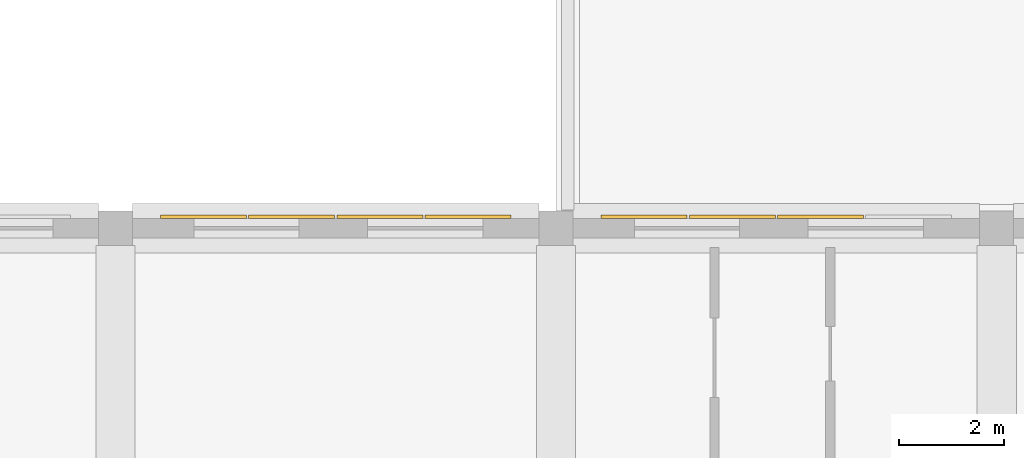
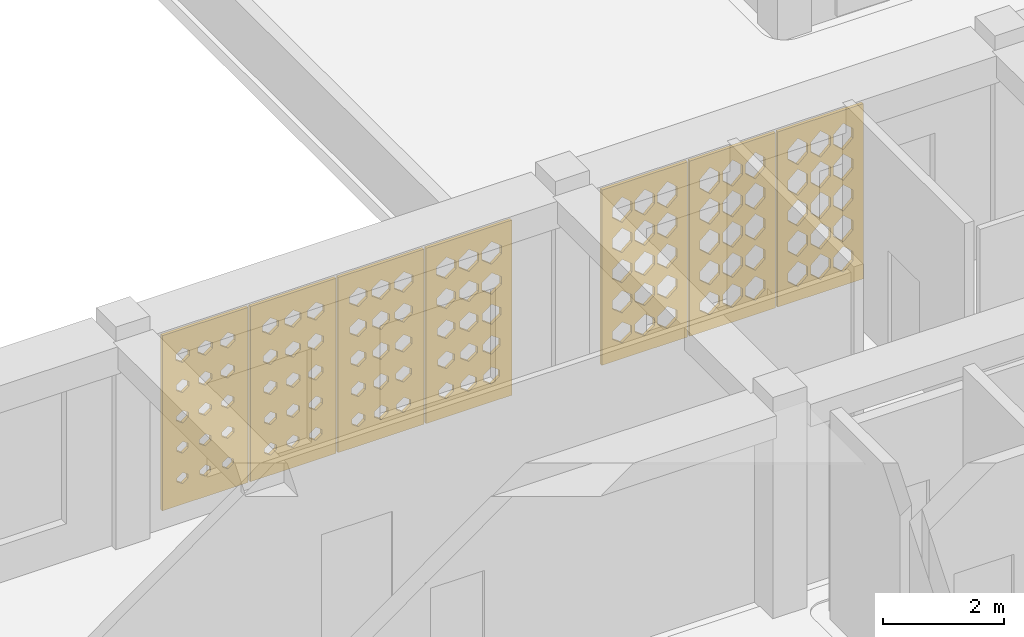
# One storey, part 28 of 47: 7 coverings.
"""IFC4 building model written with IfcOpenShell, lengths in metres."""

from ifc_helpers import new_model, si_unit, derived_unit, direction, frame, origin, place, context, subcontext, project, spatial, polyline, outline, extrude, material, layer, layer_set, type_object, element, save


model = new_model("IFC4")

# Units and contexts
model_context = context("Model", 3, precision=1e-05, world=origin(), true_north=direction((0.0, 1.0)))
body_context = subcontext(model_context, "Body", "Model", "MODEL_VIEW")
ifc_project = project(units=[si_unit("LENGTHUNIT", "METRE"), si_unit("AREAUNIT", "SQUARE_METRE"), si_unit("VOLUMEUNIT", "CUBIC_METRE"), si_unit("PLANEANGLEUNIT", "RADIAN"), si_unit("MASSUNIT", "GRAM", prefix="KILO"), derived_unit("THERMALTRANSMITTANCEUNIT", [(si_unit("POWERUNIT", "WATT"), 1), (si_unit("LENGTHUNIT", "METRE"), -2), (si_unit("THERMODYNAMICTEMPERATUREUNIT", "KELVIN"), -1)])], contexts=[model_context])

# Site, building, storey
site_placement = place(None, origin())
site = spatial("IfcSite", under=ifc_project, at=site_placement, CompositionType="ELEMENT")
building_placement = place(site_placement, origin())
building = spatial("IfcBuilding", under=site, at=building_placement, Name="Veybourne Emporium", CompositionType="ELEMENT")
storey_placement = place(building_placement, frame((0.0, 0.0, 23.39990234375)))
storey = spatial("IfcBuildingStorey", under=building, at=storey_placement, Name="L05", CompositionType="ELEMENT", Elevation=23.39990234375)

# Coverings
ifc_material = material(Name="Warm-White Perforated Aluminium Screen Alloy", Category="aluminium")
ifc_layer_1 = layer(ifc_material, 0.06005859375)
ifc_layer_set_1 = layer_set([ifc_layer_1], Name="Warm-White Perforated Aluminium Screen Alloy")
covering_type_1 = type_object("IfcCoveringType", Name="WaveScreen_SCR-01", PredefinedType="CLADDING", material=ifc_layer_set_1)
covering_1_placement = place(storey_placement, frame((11.760009765625, 50.64794921875, 1.830078125), z_axis=(0.0, -1.0, 0.0), x_axis=(1.0, 0.0, 0.0)))
element("IfcCovering", 1, at=covering_1_placement, inside=storey, type_object=covering_type_1, Name="L05 wave-perforated aluminium screen SCR-01 (9.2)", PredefinedType="CLADDING", context=body_context, shape_type="SweptSolid", body=[
    extrude(outline(polyline([(-0.81982421875, -1.77001953125), (0.81982421875, -1.77001953125), (0.81982421875, 1.77001953125), (-0.81982421875, 1.77001953125), (-0.81982421875, -1.77001953125)]), holes=[polyline([(-0.433349609375, -1.1162109375), (-0.322021484375, -1.1953125), (-0.322021484375, -1.28466796875), (-0.433349609375, -1.364013671875), (-0.544677734375, -1.28466796875), (-0.544677734375, -1.1953125), (-0.433349609375, -1.1162109375)]), polyline([(-0.433349609375, -0.4873046875), (-0.314697265625, -0.572265625), (-0.314697265625, -0.667724609375), (-0.433349609375, -0.752685546875), (-0.552001953125, -0.667724609375), (-0.552001953125, -0.572265625), (-0.433349609375, -0.4873046875)]), polyline([(-0.433349609375, 0.1435546875), (-0.305908203125, 0.0517578125), (-0.305908203125, -0.0517578125), (-0.433349609375, -0.1435546875), (-0.560791015625, -0.0517578125), (-0.560791015625, 0.0517578125), (-0.433349609375, 0.1435546875)]), polyline([(-0.433349609375, 0.77587890625), (-0.2958984375, 0.676025390625), (-0.2958984375, 0.56396484375), (-0.433349609375, 0.464111328125), (-0.57080078125, 0.56396484375), (-0.57080078125, 0.676025390625), (-0.433349609375, 0.77587890625)]), polyline([(-0.433349609375, 1.4091796875), (-0.284912109375, 1.30078125), (-0.284912109375, 1.17919921875), (-0.433349609375, 1.07080078125), (-0.581787109375, 1.17919921875), (-0.581787109375, 1.30078125), (-0.433349609375, 1.4091796875)]), polyline([(0.0, -1.1123046875), (0.114501953125, -1.194091796875), (0.114501953125, -1.285888671875), (0.0, -1.36767578125), (-0.114501953125, -1.285888671875), (-0.114501953125, -1.194091796875), (0.0, -1.1123046875)]), polyline([(0.0, -0.482666015625), (0.12255859375, -0.570556640625), (0.12255859375, -0.66943359375), (0.0, -0.75732421875), (-0.12255859375, -0.66943359375), (-0.12255859375, -0.570556640625), (0.0, -0.482666015625)]), polyline([(0.0, 0.14892578125), (0.1318359375, 0.0537109375), (0.1318359375, -0.0537109375), (0.0, -0.14892578125), (-0.1318359375, -0.0537109375), (-0.1318359375, 0.0537109375), (0.0, 0.14892578125)]), polyline([(0.0, 0.781494140625), (0.14208984375, 0.67822265625), (0.14208984375, 0.561767578125), (0.0, 0.45849609375), (-0.14208984375, 0.561767578125), (-0.14208984375, 0.67822265625), (0.0, 0.781494140625)]), polyline([(0.0, 1.415283203125), (0.1533203125, 1.302978515625), (0.1533203125, 1.177001953125), (0.0, 1.064697265625), (-0.1533203125, 1.177001953125), (-0.1533203125, 1.302978515625), (0.0, 1.415283203125)]), polyline([(0.433349609375, -1.108154296875), (0.55126953125, -1.1923828125), (0.55126953125, -1.28759765625), (0.433349609375, -1.371826171875), (0.3154296875, -1.28759765625), (0.3154296875, -1.1923828125), (0.433349609375, -1.108154296875)]), polyline([(0.433349609375, -0.4775390625), (0.559814453125, -0.568603515625), (0.559814453125, -0.67138671875), (0.433349609375, -0.762451171875), (0.306884765625, -0.67138671875), (0.306884765625, -0.568603515625), (0.433349609375, -0.4775390625)]), polyline([(0.433349609375, 0.154541015625), (0.569580078125, 0.0556640625), (0.569580078125, -0.0556640625), (0.433349609375, -0.154541015625), (0.297119140625, -0.0556640625), (0.297119140625, 0.0556640625), (0.433349609375, 0.154541015625)]), polyline([(0.433349609375, 0.78759765625), (0.58056640625, 0.680419921875), (0.58056640625, 0.5595703125), (0.433349609375, 0.452392578125), (0.2861328125, 0.5595703125), (0.2861328125, 0.680419921875), (0.433349609375, 0.78759765625)]), polyline([(0.433349609375, 1.421630859375), (0.592041015625, 1.305419921875), (0.592041015625, 1.174560546875), (0.433349609375, 1.058349609375), (0.274658203125, 1.174560546875), (0.274658203125, 1.305419921875), (0.433349609375, 1.421630859375)])]), origin(), (0.0, 0.0, 1.0), 0.06005859375),
])
covering_2_placement = place(storey_placement, frame((20.159912109375, 50.64794921875, 1.830078125), z_axis=(0.0, -1.0, 0.0), x_axis=(1.0, 0.0, 0.0)))
element("IfcCovering", 2, at=covering_2_placement, inside=storey, type_object=covering_type_1, Name="L05 wave-perforated aluminium screen SCR-01 (13.2)", PredefinedType="CLADDING", context=body_context, shape_type="SweptSolid", body=[
    extrude(outline(polyline([(-0.81982421875, -1.77001953125), (0.81982421875, -1.77001953125), (0.81982421875, 1.77001953125), (-0.81982421875, 1.77001953125), (-0.81982421875, -1.77001953125)]), holes=[polyline([(-0.433349609375, -1.005859375), (-0.2470703125, -1.15576171875), (-0.2470703125, -1.32421875), (-0.433349609375, -1.47412109375), (-0.61962890625, -1.32421875), (-0.61962890625, -1.15576171875), (-0.433349609375, -1.005859375)]), polyline([(-0.433349609375, -0.3740234375), (-0.2470703125, -0.531494140625), (-0.2470703125, -0.70849609375), (-0.433349609375, -0.865966796875), (-0.61962890625, -0.70849609375), (-0.61962890625, -0.531494140625), (-0.433349609375, -0.3740234375)]), polyline([(-0.433349609375, 0.255859375), (-0.2470703125, 0.092041015625), (-0.2470703125, -0.092041015625), (-0.433349609375, -0.255859375), (-0.61962890625, -0.092041015625), (-0.61962890625, 0.092041015625), (-0.433349609375, 0.255859375)]), polyline([(-0.433349609375, 0.884033203125), (-0.2470703125, 0.715087890625), (-0.2470703125, 0.52490234375), (-0.433349609375, 0.35595703125), (-0.61962890625, 0.52490234375), (-0.61962890625, 0.715087890625), (-0.433349609375, 0.884033203125)]), polyline([(-0.433349609375, 1.506591796875), (-0.2470703125, 1.3359375), (-0.2470703125, 1.14404296875), (-0.433349609375, 0.973388671875), (-0.61962890625, 1.14404296875), (-0.61962890625, 1.3359375), (-0.433349609375, 1.506591796875)]), polyline([(0.0, -1.00048828125), (0.186279296875, -1.15380859375), (0.186279296875, -1.326416015625), (0.0, -1.4794921875), (-0.186279296875, -1.326416015625), (-0.186279296875, -1.15380859375), (0.0, -1.00048828125)]), polyline([(0.0, -0.369384765625), (0.186279296875, -0.52978515625), (0.186279296875, -0.710205078125), (0.0, -0.87060546875), (-0.186279296875, -0.710205078125), (-0.186279296875, -0.52978515625), (0.0, -0.369384765625)]), polyline([(0.0, 0.259765625), (0.186279296875, 0.093505859375), (0.186279296875, -0.093505859375), (0.0, -0.259765625), (-0.186279296875, -0.093505859375), (-0.186279296875, 0.093505859375), (0.0, 0.259765625)]), polyline([(0.0, 0.88671875), (0.186279296875, 0.716064453125), (0.186279296875, 0.52392578125), (0.0, 0.353515625), (-0.186279296875, 0.52392578125), (-0.186279296875, 0.716064453125), (0.0, 0.88671875)]), polyline([(0.0, 1.506591796875), (0.186279296875, 1.3359375), (0.186279296875, 1.14404296875), (0.0, 0.973388671875), (-0.186279296875, 1.14404296875), (-0.186279296875, 1.3359375), (0.0, 1.506591796875)]), polyline([(0.433349609375, -0.995361328125), (0.61962890625, -1.15185546875), (0.61962890625, -1.328125), (0.433349609375, -1.484619140625), (0.2470703125, -1.328125), (0.2470703125, -1.15185546875), (0.433349609375, -0.995361328125)]), polyline([(0.433349609375, -0.364990234375), (0.61962890625, -0.5283203125), (0.61962890625, -0.7119140625), (0.433349609375, -0.875), (0.2470703125, -0.7119140625), (0.2470703125, -0.5283203125), (0.433349609375, -0.364990234375)]), polyline([(0.433349609375, 0.26318359375), (0.61962890625, 0.0947265625), (0.61962890625, -0.0947265625), (0.433349609375, -0.26318359375), (0.2470703125, -0.0947265625), (0.2470703125, 0.0947265625), (0.433349609375, 0.26318359375)]), polyline([(0.433349609375, 0.88671875), (0.61962890625, 0.716064453125), (0.61962890625, 0.52392578125), (0.433349609375, 0.353515625), (0.2470703125, 0.52392578125), (0.2470703125, 0.716064453125), (0.433349609375, 0.88671875)]), polyline([(0.433349609375, 1.506591796875), (0.61962890625, 1.3359375), (0.61962890625, 1.14404296875), (0.433349609375, 0.973388671875), (0.2470703125, 1.14404296875), (0.2470703125, 1.3359375), (0.433349609375, 1.506591796875)])]), origin(), (0.0, 0.0, 1.0), 0.06005859375),
])
ifc_layer_2 = layer(ifc_material, 0.06005859375)
ifc_layer_set_2 = layer_set([ifc_layer_2], Name="Warm-White Perforated Aluminium Screen Alloy")
covering_type_2 = type_object("IfcCoveringType", Name="WaveScreen_SCR-02", PredefinedType="CLADDING", material=ifc_layer_set_2)
covering_3_placement = place(storey_placement, frame((13.43994140625, 50.64794921875, 1.830078125), z_axis=(0.0, -1.0, 0.0), x_axis=(1.0, 0.0, 0.0)))
element("IfcCovering", 3, at=covering_3_placement, inside=storey, type_object=covering_type_2, Name="L05 wave-perforated aluminium screen SCR-02 (9.3)", PredefinedType="CLADDING", context=body_context, shape_type="SweptSolid", body=[
    extrude(outline(polyline([(-0.81982421875, -1.77001953125), (0.81982421875, -1.77001953125), (0.81982421875, 1.77001953125), (-0.81982421875, 1.77001953125), (-0.81982421875, -1.77001953125)]), holes=[polyline([(-0.433349609375, -1.099365234375), (-0.308349609375, -1.189453125), (-0.308349609375, -1.29052734375), (-0.433349609375, -1.380615234375), (-0.558349609375, -1.29052734375), (-0.558349609375, -1.189453125), (-0.433349609375, -1.099365234375)]), polyline([(-0.433349609375, -0.467529296875), (-0.298583984375, -0.565185546875), (-0.298583984375, -0.6748046875), (-0.433349609375, -0.7724609375), (-0.568115234375, -0.6748046875), (-0.568115234375, -0.565185546875), (-0.433349609375, -0.467529296875)]), polyline([(-0.433349609375, 0.16552734375), (-0.287841796875, 0.0595703125), (-0.287841796875, -0.0595703125), (-0.433349609375, -0.16552734375), (-0.578857421875, -0.0595703125), (-0.578857421875, 0.0595703125), (-0.433349609375, 0.16552734375)]), polyline([(-0.433349609375, 0.79931640625), (-0.276611328125, 0.6845703125), (-0.276611328125, 0.555419921875), (-0.433349609375, 0.440673828125), (-0.590087890625, 0.555419921875), (-0.590087890625, 0.6845703125), (-0.433349609375, 0.79931640625)]), polyline([(-0.433349609375, 1.43359375), (-0.264892578125, 1.309814453125), (-0.264892578125, 1.17041015625), (-0.433349609375, 1.04638671875), (-0.601806640625, 1.17041015625), (-0.601806640625, 1.309814453125), (-0.433349609375, 1.43359375)]), polyline([(0.0, -1.09423828125), (0.12939453125, -1.1875), (0.12939453125, -1.29248046875), (0.0, -1.3857421875), (-0.12939453125, -1.29248046875), (-0.12939453125, -1.1875), (0.0, -1.09423828125)]), polyline([(0.0, -0.4619140625), (0.139404296875, -0.56298828125), (0.139404296875, -0.677001953125), (0.0, -0.7783203125), (-0.139404296875, -0.677001953125), (-0.139404296875, -0.56298828125), (0.0, -0.4619140625)]), polyline([(0.0, 0.171630859375), (0.150390625, 0.061767578125), (0.150390625, -0.061767578125), (0.0, -0.171630859375), (-0.150390625, -0.061767578125), (-0.150390625, 0.061767578125), (0.0, 0.171630859375)]), polyline([(0.0, 0.805908203125), (0.162109375, 0.68701171875), (0.162109375, 0.552978515625), (0.0, 0.43408203125), (-0.162109375, 0.552978515625), (-0.162109375, 0.68701171875), (0.0, 0.805908203125)]), polyline([(0.0, 1.440185546875), (0.173583984375, 1.31201171875), (0.173583984375, 1.16796875), (0.0, 1.039794921875), (-0.173583984375, 1.16796875), (-0.173583984375, 1.31201171875), (0.0, 1.440185546875)]), polyline([(0.433349609375, -1.0888671875), (0.567138671875, -1.185546875), (0.567138671875, -1.29443359375), (0.433349609375, -1.39111328125), (0.299560546875, -1.29443359375), (0.299560546875, -1.185546875), (0.433349609375, -1.0888671875)]), polyline([(0.433349609375, -0.455810546875), (0.57763671875, -0.560791015625), (0.57763671875, -0.67919921875), (0.433349609375, -0.7841796875), (0.2890625, -0.67919921875), (0.2890625, -0.560791015625), (0.433349609375, -0.455810546875)]), polyline([(0.433349609375, 0.177978515625), (0.589111328125, 0.064208984375), (0.589111328125, -0.064208984375), (0.433349609375, -0.177978515625), (0.277587890625, -0.064208984375), (0.277587890625, 0.064208984375), (0.433349609375, 0.177978515625)]), polyline([(0.433349609375, 0.812255859375), (0.6005859375, 0.689208984375), (0.6005859375, 0.55078125), (0.433349609375, 0.427734375), (0.26611328125, 0.55078125), (0.26611328125, 0.689208984375), (0.433349609375, 0.812255859375)]), polyline([(0.433349609375, 1.446533203125), (0.6123046875, 1.314208984375), (0.6123046875, 1.165771484375), (0.433349609375, 1.033447265625), (0.25439453125, 1.165771484375), (0.25439453125, 1.314208984375), (0.433349609375, 1.446533203125)])]), origin(), (0.0, 0.0, 1.0), 0.06005859375),
])
covering_4_placement = place(storey_placement, frame((21.840087890625, 50.64794921875, 1.830078125), z_axis=(0.0, -1.0, 0.0), x_axis=(1.0, 0.0, 0.0)))
element("IfcCovering", 4, at=covering_4_placement, inside=storey, type_object=covering_type_2, Name="L05 wave-perforated aluminium screen SCR-02 (13.3)", PredefinedType="CLADDING", context=body_context, shape_type="SweptSolid", body=[
    extrude(outline(polyline([(-0.81982421875, -1.77001953125), (0.81982421875, -1.77001953125), (0.81982421875, 1.77001953125), (-0.81982421875, 1.77001953125), (-0.81982421875, -1.77001953125)]), holes=[polyline([(-0.433349609375, -0.986572265625), (-0.2470703125, -1.148681640625), (-0.2470703125, -1.331298828125), (-0.433349609375, -1.493408203125), (-0.61962890625, -1.331298828125), (-0.61962890625, -1.148681640625), (-0.433349609375, -0.986572265625)]), polyline([(-0.433349609375, -0.35791015625), (-0.2470703125, -0.525634765625), (-0.2470703125, -0.71435546875), (-0.433349609375, -0.882080078125), (-0.61962890625, -0.71435546875), (-0.61962890625, -0.525634765625), (-0.433349609375, -0.35791015625)]), polyline([(-0.433349609375, 0.2666015625), (-0.2470703125, 0.095947265625), (-0.2470703125, -0.095947265625), (-0.433349609375, -0.2666015625), (-0.61962890625, -0.095947265625), (-0.61962890625, 0.095947265625), (-0.433349609375, 0.2666015625)]), polyline([(-0.433349609375, 0.88671875), (-0.2470703125, 0.716064453125), (-0.2470703125, 0.52392578125), (-0.433349609375, 0.353515625), (-0.61962890625, 0.52392578125), (-0.61962890625, 0.716064453125), (-0.433349609375, 0.88671875)]), polyline([(-0.433349609375, 1.506591796875), (-0.2470703125, 1.3359375), (-0.2470703125, 1.14404296875), (-0.433349609375, 0.973388671875), (-0.61962890625, 1.14404296875), (-0.61962890625, 1.3359375), (-0.433349609375, 1.506591796875)]), polyline([(0.0, -0.982421875), (0.186279296875, -1.147216796875), (0.186279296875, -1.332763671875), (0.0, -1.49755859375), (-0.186279296875, -1.332763671875), (-0.186279296875, -1.147216796875), (0.0, -0.982421875)]), polyline([(0.0, -0.3544921875), (0.186279296875, -0.5244140625), (0.186279296875, -0.715576171875), (0.0, -0.885498046875), (-0.186279296875, -0.715576171875), (-0.186279296875, -0.5244140625), (0.0, -0.3544921875)]), polyline([(0.0, 0.2666015625), (0.186279296875, 0.095947265625), (0.186279296875, -0.095947265625), (0.0, -0.2666015625), (-0.186279296875, -0.095947265625), (-0.186279296875, 0.095947265625), (0.0, 0.2666015625)]), polyline([(0.0, 0.88671875), (0.186279296875, 0.716064453125), (0.186279296875, 0.52392578125), (0.0, 0.353515625), (-0.186279296875, 0.52392578125), (-0.186279296875, 0.716064453125), (0.0, 0.88671875)]), polyline([(0.0, 1.506591796875), (0.186279296875, 1.3359375), (0.186279296875, 1.14404296875), (0.0, 0.973388671875), (-0.186279296875, 1.14404296875), (-0.186279296875, 1.3359375), (0.0, 1.506591796875)]), polyline([(0.433349609375, -0.978515625), (0.61962890625, -1.14599609375), (0.61962890625, -1.333984375), (0.433349609375, -1.50146484375), (0.2470703125, -1.333984375), (0.2470703125, -1.14599609375), (0.433349609375, -0.978515625)]), polyline([(0.433349609375, -0.353515625), (0.61962890625, -0.52392578125), (0.61962890625, -0.716064453125), (0.433349609375, -0.88671875), (0.2470703125, -0.716064453125), (0.2470703125, -0.52392578125), (0.433349609375, -0.353515625)]), polyline([(0.433349609375, 0.2666015625), (0.61962890625, 0.095947265625), (0.61962890625, -0.095947265625), (0.433349609375, -0.2666015625), (0.2470703125, -0.095947265625), (0.2470703125, 0.095947265625), (0.433349609375, 0.2666015625)]), polyline([(0.433349609375, 0.88671875), (0.61962890625, 0.716064453125), (0.61962890625, 0.52392578125), (0.433349609375, 0.353515625), (0.2470703125, 0.52392578125), (0.2470703125, 0.716064453125), (0.433349609375, 0.88671875)]), polyline([(0.433349609375, 1.506591796875), (0.61962890625, 1.3359375), (0.61962890625, 1.14404296875), (0.433349609375, 0.973388671875), (0.2470703125, 1.14404296875), (0.2470703125, 1.3359375), (0.433349609375, 1.506591796875)])]), origin(), (0.0, 0.0, 1.0), 0.06005859375),
])
ifc_layer_3 = layer(ifc_material, 0.06005859375)
ifc_layer_set_3 = layer_set([ifc_layer_3], Name="Warm-White Perforated Aluminium Screen Alloy")
covering_type_3 = type_object("IfcCoveringType", Name="WaveScreen_SCR-03", PredefinedType="CLADDING", material=ifc_layer_set_3)
covering_5_placement = place(storey_placement, frame((15.1201171875, 50.64794921875, 1.830078125), z_axis=(0.0, -1.0, 0.0), x_axis=(1.0, 0.0, 0.0)))
element("IfcCovering", 5, at=covering_5_placement, inside=storey, type_object=covering_type_3, Name="L05 wave-perforated aluminium screen SCR-03 (9.4)", PredefinedType="CLADDING", context=body_context, shape_type="SweptSolid", body=[
    extrude(outline(polyline([(-0.81982421875, -1.77001953125), (0.81982421875, -1.77001953125), (0.81982421875, 1.77001953125), (-0.81982421875, 1.77001953125), (-0.81982421875, -1.77001953125)]), holes=[polyline([(-0.433349609375, -1.077880859375), (-0.290771484375, -1.181640625), (-0.290771484375, -1.29833984375), (-0.433349609375, -1.402099609375), (-0.575927734375, -1.29833984375), (-0.575927734375, -1.181640625), (-0.433349609375, -1.077880859375)]), polyline([(-0.433349609375, -0.444091796875), (-0.279541015625, -0.556640625), (-0.279541015625, -0.683349609375), (-0.433349609375, -0.7958984375), (-0.587158203125, -0.683349609375), (-0.587158203125, -0.556640625), (-0.433349609375, -0.444091796875)]), polyline([(-0.433349609375, 0.18994140625), (-0.267822265625, 0.068359375), (-0.267822265625, -0.068359375), (-0.433349609375, -0.18994140625), (-0.598876953125, -0.068359375), (-0.598876953125, 0.068359375), (-0.433349609375, 0.18994140625)]), polyline([(-0.433349609375, 0.82421875), (-0.256103515625, 0.693603515625), (-0.256103515625, 0.54638671875), (-0.433349609375, 0.415771484375), (-0.610595703125, 0.54638671875), (-0.610595703125, 0.693603515625), (-0.433349609375, 0.82421875)]), polyline([(-0.433349609375, 1.458251953125), (-0.2470703125, 1.318603515625), (-0.2470703125, 1.161376953125), (-0.433349609375, 1.021728515625), (-0.61962890625, 1.161376953125), (-0.61962890625, 1.318603515625), (-0.433349609375, 1.458251953125)]), polyline([(0.0, -1.07177734375), (0.147705078125, -1.179443359375), (0.147705078125, -1.300537109375), (0.0, -1.408203125), (-0.147705078125, -1.300537109375), (-0.147705078125, -1.179443359375), (0.0, -1.07177734375)]), polyline([(0.0, -0.43798828125), (0.158935546875, -0.554443359375), (0.158935546875, -0.685546875), (0.0, -0.802001953125), (-0.158935546875, -0.685546875), (-0.158935546875, -0.554443359375), (0.0, -0.43798828125)]), polyline([(0.0, 0.1962890625), (0.170654296875, 0.07080078125), (0.170654296875, -0.07080078125), (0.0, -0.1962890625), (-0.170654296875, -0.07080078125), (-0.170654296875, 0.07080078125), (0.0, 0.1962890625)]), polyline([(0.0, 0.83056640625), (0.182373046875, 0.69580078125), (0.182373046875, 0.544189453125), (0.0, 0.409423828125), (-0.182373046875, 0.544189453125), (-0.182373046875, 0.69580078125), (0.0, 0.83056640625)]), polyline([(0.0, 1.464111328125), (0.186279296875, 1.32080078125), (0.186279296875, 1.1591796875), (0.0, 1.015869140625), (-0.186279296875, 1.1591796875), (-0.186279296875, 1.32080078125), (0.0, 1.464111328125)]), polyline([(0.433349609375, -1.065673828125), (0.5859375, -1.17724609375), (0.5859375, -1.302734375), (0.433349609375, -1.414306640625), (0.28076171875, -1.302734375), (0.28076171875, -1.17724609375), (0.433349609375, -1.065673828125)]), polyline([(0.433349609375, -0.431396484375), (0.59765625, -0.552001953125), (0.59765625, -0.68798828125), (0.433349609375, -0.80859375), (0.26904296875, -0.68798828125), (0.26904296875, -0.552001953125), (0.433349609375, -0.431396484375)]), polyline([(0.433349609375, 0.202880859375), (0.609375, 0.072998046875), (0.609375, -0.072998046875), (0.433349609375, -0.202880859375), (0.25732421875, -0.072998046875), (0.25732421875, 0.072998046875), (0.433349609375, 0.202880859375)]), polyline([(0.433349609375, 0.8369140625), (0.61962890625, 0.697998046875), (0.61962890625, 0.5419921875), (0.433349609375, 0.4033203125), (0.2470703125, 0.5419921875), (0.2470703125, 0.697998046875), (0.433349609375, 0.8369140625)]), polyline([(0.433349609375, 1.47021484375), (0.61962890625, 1.32275390625), (0.61962890625, 1.1572265625), (0.433349609375, 1.010009765625), (0.2470703125, 1.1572265625), (0.2470703125, 1.32275390625), (0.433349609375, 1.47021484375)])]), origin(), (0.0, 0.0, 1.0), 0.06005859375),
])
ifc_layer_4 = layer(ifc_material, 0.06005859375)
ifc_layer_set_4 = layer_set([ifc_layer_4], Name="Warm-White Perforated Aluminium Screen Alloy")
covering_type_4 = type_object("IfcCoveringType", Name="WaveScreen_SCR-04", PredefinedType="CLADDING", material=ifc_layer_set_4)
covering_6_placement = place(storey_placement, frame((10.080078125, 50.64794921875, 1.830078125), z_axis=(0.0, -1.0, 0.0), x_axis=(1.0, 0.0, 0.0)))
element("IfcCovering", 6, at=covering_6_placement, inside=storey, type_object=covering_type_4, Name="L05 wave-perforated aluminium screen SCR-04 (9.1)", PredefinedType="CLADDING", context=body_context, shape_type="SweptSolid", body=[
    extrude(outline(polyline([(-0.81982421875, -1.77001953125), (0.81982421875, -1.77001953125), (0.81982421875, 1.77001953125), (-0.81982421875, 1.77001953125), (-0.81982421875, -1.77001953125)]), holes=[polyline([(-0.433349609375, -1.126708984375), (-0.33056640625, -1.19921875), (-0.33056640625, -1.28076171875), (-0.433349609375, -1.353515625), (-0.5361328125, -1.28076171875), (-0.5361328125, -1.19921875), (-0.433349609375, -1.126708984375)]), polyline([(-0.433349609375, -0.50146484375), (-0.326416015625, -0.577392578125), (-0.326416015625, -0.66259765625), (-0.433349609375, -0.738525390625), (-0.540283203125, -0.66259765625), (-0.540283203125, -0.577392578125), (-0.433349609375, -0.50146484375)]), polyline([(-0.433349609375, 0.1259765625), (-0.3203125, 0.04541015625), (-0.3203125, -0.04541015625), (-0.433349609375, -0.1259765625), (-0.54638671875, -0.04541015625), (-0.54638671875, 0.04541015625), (-0.433349609375, 0.1259765625)]), polyline([(-0.433349609375, 0.75537109375), (-0.3125, 0.668701171875), (-0.3125, 0.5712890625), (-0.433349609375, 0.484619140625), (-0.55419921875, 0.5712890625), (-0.55419921875, 0.668701171875), (-0.433349609375, 0.75537109375)]), polyline([(-0.433349609375, 1.38671875), (-0.303466796875, 1.292724609375), (-0.303466796875, 1.187255859375), (-0.433349609375, 1.093505859375), (-0.563232421875, 1.187255859375), (-0.563232421875, 1.292724609375), (-0.433349609375, 1.38671875)]), polyline([(0.0, -1.12451171875), (0.1044921875, -1.198486328125), (0.1044921875, -1.281494140625), (0.0, -1.35546875), (-0.1044921875, -1.281494140625), (-0.1044921875, -1.198486328125), (0.0, -1.12451171875)]), polyline([(0.0, -0.498291015625), (0.109619140625, -0.576171875), (0.109619140625, -0.663818359375), (0.0, -0.74169921875), (-0.109619140625, -0.663818359375), (-0.109619140625, -0.576171875), (0.0, -0.498291015625)]), polyline([(0.0, 0.1298828125), (0.116455078125, 0.046875), (0.116455078125, -0.046875), (0.0, -0.1298828125), (-0.116455078125, -0.046875), (-0.116455078125, 0.046875), (0.0, 0.1298828125)]), polyline([(0.0, 0.76025390625), (0.124755859375, 0.67041015625), (0.124755859375, 0.569580078125), (0.0, 0.479736328125), (-0.124755859375, 0.569580078125), (-0.124755859375, 0.67041015625), (0.0, 0.76025390625)]), polyline([(0.0, 1.39208984375), (0.134521484375, 1.294677734375), (0.134521484375, 1.185302734375), (0.0, 1.087890625), (-0.134521484375, 1.185302734375), (-0.134521484375, 1.294677734375), (0.0, 1.39208984375)]), polyline([(0.433349609375, -1.1220703125), (0.539794921875, -1.197509765625), (0.539794921875, -1.282470703125), (0.433349609375, -1.35791015625), (0.326904296875, -1.282470703125), (0.326904296875, -1.197509765625), (0.433349609375, -1.1220703125)]), polyline([(0.433349609375, -0.494873046875), (0.545654296875, -0.574951171875), (0.545654296875, -0.6650390625), (0.433349609375, -0.7451171875), (0.32080078125, -0.6650390625), (0.32080078125, -0.574951171875), (0.433349609375, -0.494873046875)]), polyline([(0.433349609375, 0.134521484375), (0.55322265625, 0.04833984375), (0.55322265625, -0.04833984375), (0.433349609375, -0.134521484375), (0.3134765625, -0.04833984375), (0.3134765625, 0.04833984375), (0.433349609375, 0.134521484375)]), polyline([(0.433349609375, 0.765380859375), (0.562255859375, 0.67236328125), (0.562255859375, 0.567626953125), (0.433349609375, 0.474609375), (0.304443359375, 0.567626953125), (0.304443359375, 0.67236328125), (0.433349609375, 0.765380859375)]), polyline([(0.433349609375, 1.397705078125), (0.572509765625, 1.296875), (0.572509765625, 1.18310546875), (0.433349609375, 1.082275390625), (0.294189453125, 1.18310546875), (0.294189453125, 1.296875), (0.433349609375, 1.397705078125)])]), origin(), (0.0, 0.0, 1.0), 0.06005859375),
])
covering_7_placement = place(storey_placement, frame((18.47998046875, 50.64794921875, 1.830078125), z_axis=(0.0, -1.0, 0.0), x_axis=(1.0, 0.0, 0.0)))
element("IfcCovering", 7, at=covering_7_placement, inside=storey, type_object=covering_type_4, Name="L05 wave-perforated aluminium screen SCR-04 (13.1)", PredefinedType="CLADDING", context=body_context, shape_type="SweptSolid", body=[
    extrude(outline(polyline([(-0.81982421875, -1.77001953125), (0.81982421875, -1.77001953125), (0.81982421875, 1.77001953125), (-0.81982421875, 1.77001953125), (-0.81982421875, -1.77001953125)]), holes=[polyline([(-0.433349609375, -1.02880859375), (-0.25048828125, -1.1640625), (-0.25048828125, -1.31591796875), (-0.433349609375, -1.451171875), (-0.615966796875, -1.31591796875), (-0.615966796875, -1.1640625), (-0.433349609375, -1.02880859375)]), polyline([(-0.433349609375, -0.395263671875), (-0.2470703125, -0.5390625), (-0.2470703125, -0.700927734375), (-0.433349609375, -0.8447265625), (-0.61962890625, -0.700927734375), (-0.61962890625, -0.5390625), (-0.433349609375, -0.395263671875)]), polyline([(-0.433349609375, 0.2373046875), (-0.2470703125, 0.08544921875), (-0.2470703125, -0.08544921875), (-0.433349609375, -0.2373046875), (-0.61962890625, -0.08544921875), (-0.61962890625, 0.08544921875), (-0.433349609375, 0.2373046875)]), polyline([(-0.433349609375, 0.86865234375), (-0.2470703125, 0.70947265625), (-0.2470703125, 0.530517578125), (-0.433349609375, 0.371337890625), (-0.61962890625, 0.530517578125), (-0.61962890625, 0.70947265625), (-0.433349609375, 0.86865234375)]), polyline([(-0.433349609375, 1.498291015625), (-0.2470703125, 1.3330078125), (-0.2470703125, 1.14697265625), (-0.433349609375, 0.981689453125), (-0.61962890625, 1.14697265625), (-0.61962890625, 1.3330078125), (-0.433349609375, 1.498291015625)]), polyline([(0.0, -1.022705078125), (0.186279296875, -1.161865234375), (0.186279296875, -1.318115234375), (0.0, -1.457275390625), (-0.186279296875, -1.318115234375), (-0.186279296875, -1.161865234375), (0.0, -1.022705078125)]), polyline([(0.0, -0.389404296875), (0.186279296875, -0.537109375), (0.186279296875, -0.702880859375), (0.0, -0.8505859375), (-0.186279296875, -0.702880859375), (-0.186279296875, -0.537109375), (0.0, -0.389404296875)]), polyline([(0.0, 0.24267578125), (0.186279296875, 0.08740234375), (0.186279296875, -0.08740234375), (0.0, -0.24267578125), (-0.186279296875, -0.08740234375), (-0.186279296875, 0.08740234375), (0.0, 0.24267578125)]), polyline([(0.0, 0.873291015625), (0.186279296875, 0.711181640625), (0.186279296875, 0.52880859375), (0.0, 0.36669921875), (-0.186279296875, 0.52880859375), (-0.186279296875, 0.711181640625), (0.0, 0.873291015625)]), polyline([(0.0, 1.501953125), (0.186279296875, 1.334228515625), (0.186279296875, 1.145751953125), (0.0, 0.97802734375), (-0.186279296875, 1.145751953125), (-0.186279296875, 1.334228515625), (0.0, 1.501953125)]), polyline([(0.433349609375, -1.0166015625), (0.61962890625, -1.15966796875), (0.61962890625, -1.3203125), (0.433349609375, -1.46337890625), (0.2470703125, -1.3203125), (0.2470703125, -1.15966796875), (0.433349609375, -1.0166015625)]), polyline([(0.433349609375, -0.3837890625), (0.61962890625, -0.534912109375), (0.61962890625, -0.705078125), (0.433349609375, -0.856201171875), (0.2470703125, -0.705078125), (0.2470703125, -0.534912109375), (0.433349609375, -0.3837890625)]), polyline([(0.433349609375, 0.24755859375), (0.61962890625, 0.089111328125), (0.61962890625, -0.089111328125), (0.433349609375, -0.24755859375), (0.2470703125, -0.089111328125), (0.2470703125, 0.089111328125), (0.433349609375, 0.24755859375)]), polyline([(0.433349609375, 0.877197265625), (0.61962890625, 0.712646484375), (0.61962890625, 0.52734375), (0.433349609375, 0.36279296875), (0.2470703125, 0.52734375), (0.2470703125, 0.712646484375), (0.433349609375, 0.877197265625)]), polyline([(0.433349609375, 1.505126953125), (0.61962890625, 1.33544921875), (0.61962890625, 1.14453125), (0.433349609375, 0.974853515625), (0.2470703125, 1.14453125), (0.2470703125, 1.33544921875), (0.433349609375, 1.505126953125)])]), origin(), (0.0, 0.0, 1.0), 0.06005859375),
])

save(model, "model.ifc")
